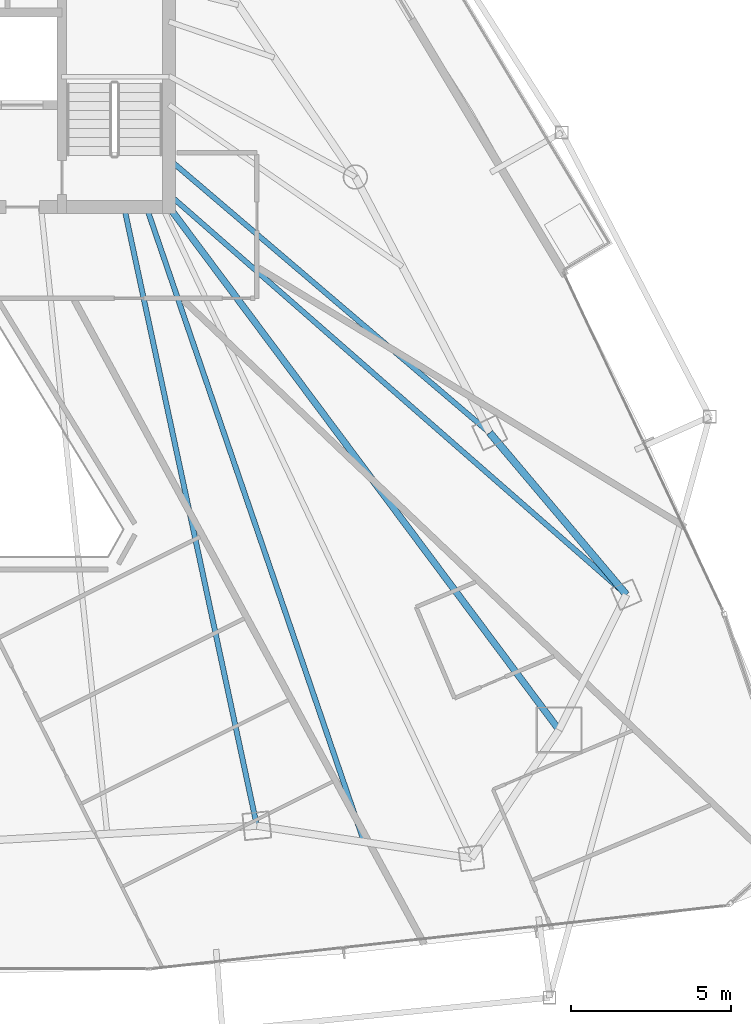
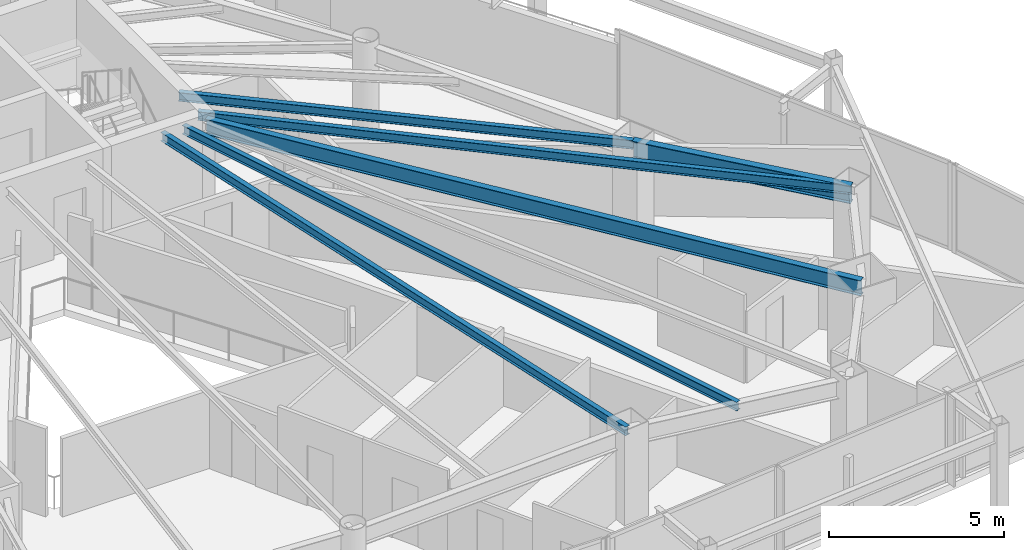
# One storey, part 14 of 31: 6 beams.
"""IFC4 building model written with IfcOpenShell, lengths in metres."""

from ifc_helpers import new_model, si_unit, direction, frame, origin, origin_2d, place, context, subcontext, project, spatial, i_section, extrude, material, material_profile, profile_set, type_object, element, save


model = new_model("IFC4")

# Units and contexts
model_context = context("Model", 3, precision=1e-05, world=origin(), true_north=direction((0.0, 1.0)))
body_context = subcontext(model_context, "Body", "Model", "MODEL_VIEW")
ifc_project = project(units=[si_unit("LENGTHUNIT", "METRE"), si_unit("AREAUNIT", "SQUARE_METRE"), si_unit("VOLUMEUNIT", "CUBIC_METRE"), si_unit("PLANEANGLEUNIT", "RADIAN"), si_unit("MASSUNIT", "GRAM", prefix="KILO")], contexts=[model_context])

# Site, building, storey
site_placement = place(None, origin())
site = spatial("IfcSite", under=ifc_project, at=site_placement, CompositionType="ELEMENT")
building_placement = place(site_placement, origin())
building = spatial("IfcBuilding", under=site, at=building_placement, Name="Orvanel Arch Residences", CompositionType="ELEMENT")
storey_placement = place(building_placement, frame((0.0, 0.0, 106.699951171875)))
storey = spatial("IfcBuildingStorey", under=building, at=storey_placement, Name="L29", CompositionType="ELEMENT", Elevation=106.699951171875)

# Beams
ifc_material = material(Name="Structural steel AS/NZS 3679.1 Grade 300 (300 MPa)", Category="steel")
ifc_material_profile_1 = material_profile(ifc_material, i_section(OverallWidth=0.208984375, OverallDepth=0.532958984375, WebThickness=0.01025390625, FlangeThickness=0.015625, at=origin_2d()), Name="530UB92.4")
ifc_profile_set_1 = profile_set([ifc_material_profile_1], Name="Structural steel AS/NZS 3679.1 Grade 300 (300 MPa)")
beam_type_1 = type_object("IfcBeamType", Name="BG-530UB", PredefinedType="BEAM", material=ifc_profile_set_1)
beam_1_placement = place(storey_placement, frame((39.625, 26.675048828125, 2.7939453125), z_axis=(0.597893733742, -0.801575375839, 0.0), x_axis=(0.801575375839, 0.597893733742, 0.0)))
element("IfcBeam", 1, at=beam_1_placement, inside=storey, type_object=beam_type_1, Name="L29 South-East Radial Girder", PredefinedType="BEAM", context=body_context, shape_type="SweptSolid", body=[
    extrude(i_section(OverallWidth=0.208984375, OverallDepth=0.532958984375, WebThickness=0.01025390625, FlangeThickness=0.015625, at=origin_2d()), origin(), (0.0, 0.0, 1.0), 20.36474609375),
])
ifc_material_profile_2 = material_profile(ifc_material, i_section(OverallWidth=0.1650390625, OverallDepth=0.303955078125, WebThickness=0.006103515625, FlangeThickness=0.01025390625, at=origin_2d()), Name="310UB40.4")
ifc_profile_set_2 = profile_set([ifc_material_profile_2], Name="Structural steel AS/NZS 3679.1 Grade 300 (300 MPa)")
beam_type_2 = type_object("IfcBeamType", Name="BJ-310UB", PredefinedType="JOIST", material=ifc_profile_set_2)
beam_2_placement = place(storey_placement, frame((39.60009765625, 28.199951171875, 2.907958984375), z_axis=(0.760821315761, -0.648961420644, 0.0), x_axis=(0.648961420644, 0.760821315761, 0.0)))
element("IfcBeam", 2, at=beam_2_placement, inside=storey, type_object=beam_type_2, Name="L29 E Wing Floor Joist", PredefinedType="JOIST", context=body_context, shape_type="SweptSolid", body=[
    extrude(i_section(OverallWidth=0.1650390625, OverallDepth=0.303955078125, WebThickness=0.006103515625, FlangeThickness=0.01025390625, at=origin_2d()), origin(), (0.0, 0.0, 1.0), 13.18701171875),
])
beam_3_placement = place(storey_placement, frame((38.199951171875, 26.699951171875, 2.907958984375), z_axis=(0.209808012425, -0.977742603103, 0.0), x_axis=(0.977742603103, 0.209808012425, 0.0)))
element("IfcBeam", 3, at=beam_3_placement, inside=storey, type_object=beam_type_2, Name="L29 SE Wing Floor Joist", PredefinedType="JOIST", context=body_context, shape_type="SweptSolid", body=[
    extrude(i_section(OverallWidth=0.1650390625, OverallDepth=0.303955078125, WebThickness=0.006103515625, FlangeThickness=0.01025390625, at=origin_2d()), origin(), (0.0, 0.0, 1.0), 19.785400390625),
])
beam_4_placement = place(storey_placement, frame((39.60009765625, 27.10009765625, 2.907958984375), z_axis=(0.752493154183, -0.658600070534, 0.0), x_axis=(0.658600070534, 0.752493154183, 0.0)))
element("IfcBeam", 4, at=beam_4_placement, inside=storey, type_object=beam_type_2, Name="L29 ME Wing Floor Joist", PredefinedType="JOIST", context=body_context, shape_type="SweptSolid", body=[
    extrude(i_section(OverallWidth=0.1650390625, OverallDepth=0.303955078125, WebThickness=0.006103515625, FlangeThickness=0.01025390625, at=origin_2d()), origin(), (0.0, 0.0, 1.0), 19.010009765625),
])
beam_5_placement = place(storey_placement, frame((38.89990234375, 26.699951171875, 2.907958984375), z_axis=(0.324257108963, -0.945968988544, 0.0), x_axis=(0.945968988544, 0.324257108963, 0.0)))
element("IfcBeam", 5, at=beam_5_placement, inside=storey, type_object=beam_type_2, Name="L29 JADD2 Wing Floor Joist", PredefinedType="JOIST", context=body_context, shape_type="SweptSolid", body=[
    extrude(i_section(OverallWidth=0.1650390625, OverallDepth=0.303955078125, WebThickness=0.006103515625, FlangeThickness=0.01025390625, at=origin_2d()), origin(), (0.0, 0.0, 1.0), 20.987060546875),
])
ifc_material_profile_3 = material_profile(ifc_material, i_section(OverallWidth=0.22900390625, OverallDepth=0.612060546875, WebThickness=0.011962890625, FlangeThickness=0.01953125, at=origin_2d()), Name="610UB125")
ifc_profile_set_3 = profile_set([ifc_material_profile_3], Name="Structural steel AS/NZS 3679.1 Grade 300 (300 MPa)")
beam_type_3 = type_object("IfcBeamType", Name="SP-610UB", PredefinedType="SPANDREL", material=ifc_profile_set_3)
beam_6_placement = place(storey_placement, frame((53.905029296875, 14.580078125, 2.754150390625), z_axis=(-0.644950329775, 0.764224490659, 0.0), x_axis=(-0.764224490659, -0.644950329775, 0.0)))
element("IfcBeam", 6, at=beam_6_placement, inside=storey, type_object=beam_type_3, Name="L29 Perimeter Spandrel Beam 10", PredefinedType="SPANDREL", context=body_context, shape_type="SweptSolid", body=[
    extrude(i_section(OverallWidth=0.22900390625, OverallDepth=0.612060546875, WebThickness=0.011962890625, FlangeThickness=0.01953125, at=origin_2d()), origin(), (0.0, 0.0, 1.0), 6.623779296875),
])

save(model, "model.ifc")
